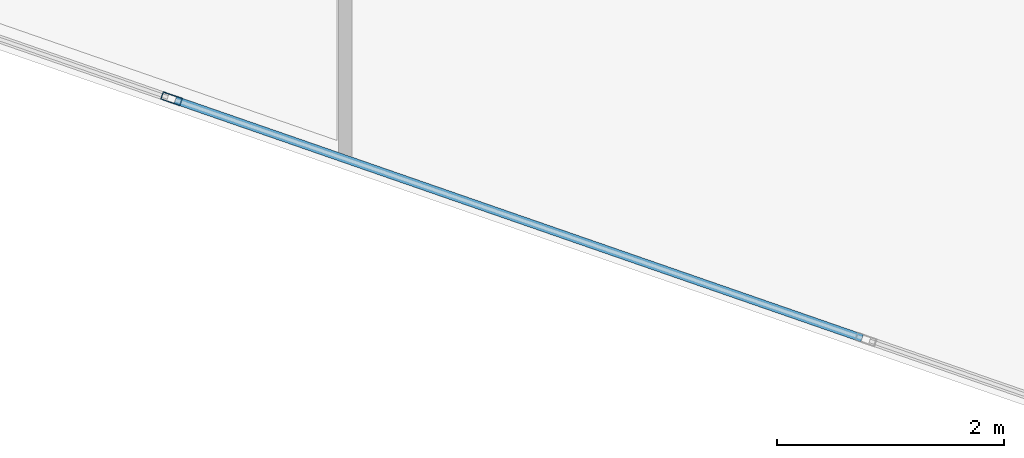
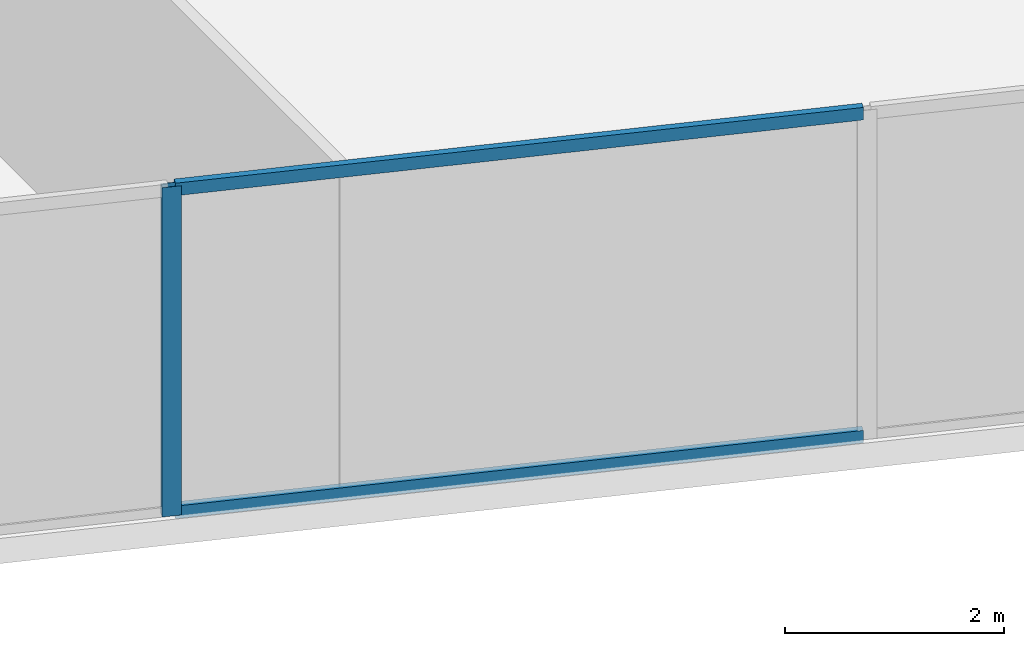
# One storey, part 4 of 28: 3 members, 1 element without a shape of its own.
"""IFC4 building model written with IfcOpenShell, lengths in metres."""

import ifcopenshell
import ifcopenshell.guid

model = None  # the IFC model being written
_history = None  # IfcOwnerHistory: only IFC2X3 demands one
_inside = {}  # id of a spatial element -> (the spatial element, [elements in it])
_under = {}  # id of a project, library or spatial element -> (it, [spatial elements below it])
_declared = {}  # id of a project -> (the project, [libraries it declares])
_typed = {}  # id of a type object -> (the type object, [elements of that type])
_made_of = {}  # id of a material, layer set ... -> (it, [elements and type objects made of it])


def new_model(schema):
    """Start an empty IFC model of exactly this schema.

    Asked for "IFC4X3", IfcOpenShell would pick the latest addendum, in which some entities
    have other attributes; the version numbers below select the first issue.
    IFC2X3 requires an IfcOwnerHistory on every rooted entity: one is made here for all.
    """
    global model, _history
    if schema == "IFC4X3":
        model = ifcopenshell.file(schema_version=(4, 3, 0, 0))
    else:
        model = ifcopenshell.file(schema=schema)
    _inside.clear()
    _under.clear()
    _declared.clear()
    _typed.clear()
    _made_of.clear()
    _history = None
    if model.schema == "IFC2X3":
        org = make("IfcOrganization", Name="unknown")
        user = make(
            "IfcPersonAndOrganization",
            ThePerson=make("IfcPerson", FamilyName="unknown"),
            TheOrganization=org,
        )
        app = make(
            "IfcApplication",
            ApplicationDeveloper=org,
            Version="unknown",
            ApplicationFullName="unknown",
            ApplicationIdentifier="unknown",
        )
        _history = make(
            "IfcOwnerHistory",
            OwningUser=user,
            OwningApplication=app,
            ChangeAction="ADDED",
            CreationDate=0,
        )
    return model


def make(cls, **values):
    """One entity of the class cls with the attributes given. An attribute that is None is left unset."""
    return model.create_entity(
        cls, **{name: value for name, value in values.items() if value is not None}
    )


def rooted(cls, **values):
    """An entity with a GlobalId (a new one), such as an element, a storey or a relation."""
    return make(cls, GlobalId=ifcopenshell.guid.new(), OwnerHistory=_history, **values)


def si_unit(unit_type, name, prefix=None):
    """IfcSIUnit, for example si_unit("LENGTHUNIT", "METRE", prefix="MILLI")."""
    return make("IfcSIUnit", UnitType=unit_type, Prefix=prefix, Name=name)


def assignment(units):
    """IfcUnitAssignment: the units of a project."""
    return None if units is None else make("IfcUnitAssignment", Units=units)


def point(xyz):
    """IfcCartesianPoint."""
    return None if xyz is None else make("IfcCartesianPoint", Coordinates=xyz)


def direction(xyz):
    """IfcDirection."""
    return None if xyz is None else make("IfcDirection", DirectionRatios=xyz)


def frame(location, z_axis=None, x_axis=None):
    """IfcAxis2Placement3D, a coordinate frame: its origin and axes. An axis left out is left unset."""
    return make(
        "IfcAxis2Placement3D",
        Location=point(location),
        Axis=direction(z_axis),
        RefDirection=direction(x_axis),
    )


def frame_2d(location, x_axis=None):
    """IfcAxis2Placement2D, a coordinate frame in the plane: its origin and x axis."""
    return make(
        "IfcAxis2Placement2D", Location=point(location), RefDirection=direction(x_axis)
    )


def origin():
    """The frame at (0, 0, 0) with its axes left unset."""
    return frame((0.0, 0.0, 0.0))


def origin_2d():
    """The frame at (0, 0) in the plane with its x axis left unset."""
    return frame_2d((0.0, 0.0))


def place(relative_to, where):
    """IfcLocalPlacement: puts the frame where relative to a parent placement (None: the world)."""
    return make(
        "IfcLocalPlacement", PlacementRelTo=relative_to, RelativePlacement=where
    )


def context(
    kind, dimensions, precision=None, world=None, true_north=None, identifier=None
):
    """IfcGeometricRepresentationContext, for example the 3D "Model" context."""
    return make(
        "IfcGeometricRepresentationContext",
        ContextIdentifier=identifier,
        ContextType=kind,
        CoordinateSpaceDimension=dimensions,
        Precision=precision,
        WorldCoordinateSystem=world,
        TrueNorth=true_north,
    )


def subcontext(parent, identifier, kind, view, scale=None):
    """IfcGeometricRepresentationSubContext, for example "Body" below "Model"."""
    return make(
        "IfcGeometricRepresentationSubContext",
        ContextIdentifier=identifier,
        ContextType=kind,
        ParentContext=parent,
        TargetScale=scale,
        TargetView=view,
    )


def project(units=None, contexts=None):
    """IfcProject with its units and contexts."""
    return rooted(
        "IfcProject",
        Name="project",
        RepresentationContexts=contexts,
        UnitsInContext=assignment(units),
    )


def spatial(cls, under=None, at=None, **own):
    """A site, building, storey or space (cls), placed at a placement, below another one or the project."""
    s = rooted(cls, ObjectPlacement=at, **own)
    if under is not None:
        _under.setdefault(under.id(), (under, []))[1].append(s)
    return s


def profile(cls, at=None, kind="AREA", **sizes):
    """A parametric profile (cls). Its sizes go by their IFC names, for example OverallWidth=200.0."""
    return make(cls, ProfileType=kind, Position=at, **sizes)


def hollow_rectangle(**sizes):
    """IfcRectangleHollowProfileDef."""
    return profile("IfcRectangleHollowProfileDef", **sizes)


def extrude(swept, where, along, depth):
    """IfcExtrudedAreaSolid: the profile swept, set in the frame where, extruded along a direction by depth."""
    return make(
        "IfcExtrudedAreaSolid",
        SweptArea=swept,
        Position=where,
        ExtrudedDirection=direction(along),
        Depth=depth,
    )


def shape(context_of_items, identifier, shape_type, items):
    """IfcShapeRepresentation: the items that make up one representation, for example the "Body"."""
    return make(
        "IfcShapeRepresentation",
        ContextOfItems=context_of_items,
        RepresentationIdentifier=identifier,
        RepresentationType=shape_type,
        Items=items,
    )


def source(mapping_origin, context_of_items, identifier, shape_type, items):
    """IfcRepresentationMap: a shape defined once, which mapped items show again and again."""
    return make(
        "IfcRepresentationMap",
        MappingOrigin=mapping_origin,
        MappedRepresentation=shape(context_of_items, identifier, shape_type, items),
    )


def transform(
    local_origin,
    x_axis=None,
    y_axis=None,
    z_axis=None,
    scale=None,
    scale2=None,
    scale3=None,
    uniform=True,
):
    """IfcCartesianTransformationOperator3D, or its non-uniform kind. x_axis, y_axis, z_axis: its Axis1, 2, 3."""
    if uniform:
        return make(
            "IfcCartesianTransformationOperator3D",
            Axis1=direction(x_axis),
            Axis2=direction(y_axis),
            LocalOrigin=point(local_origin),
            Scale=scale,
            Axis3=direction(z_axis),
        )
    return make(
        "IfcCartesianTransformationOperator3DnonUniform",
        Axis1=direction(x_axis),
        Axis2=direction(y_axis),
        LocalOrigin=point(local_origin),
        Scale=scale,
        Axis3=direction(z_axis),
        Scale2=scale2,
        Scale3=scale3,
    )


def mapped(mapping_source, mapping_target):
    """IfcMappedItem: shows the shape of a source again, moved by a transform."""
    return make(
        "IfcMappedItem", MappingSource=mapping_source, MappingTarget=mapping_target
    )


def material(Name=None, Category=None):
    """IfcMaterial."""
    return make("IfcMaterial", Name=Name, Category=Category)


def material_profile(
    of_material, cross_section, Name=None, Category=None, Priority=None
):
    """IfcMaterialProfile: a cross section and its material."""
    return make(
        "IfcMaterialProfile",
        Name=Name,
        Material=of_material,
        Profile=cross_section,
        Priority=Priority,
        Category=Category,
    )


def profile_set(profiles, Name=None, composite=None):
    """IfcMaterialProfileSet."""
    return make(
        "IfcMaterialProfileSet",
        Name=Name,
        MaterialProfiles=profiles,
        CompositeProfile=composite,
    )


def made_of(thing, what):
    """Note that an element or type object is made of a material, layer set ...; save() writes the relation."""
    if what is not None:
        _made_of.setdefault(what.id(), (what, []))[1].append(thing)
    return thing


def type_object(cls, material=None, **own):
    """A type object (cls), such as IfcWallType, which elements share."""
    return made_of(rooted(cls, **own), material)


def type_shapes(of_type, sources):
    """Give a type object the sources (RepresentationMaps) that its elements show as mapped items."""
    of_type.RepresentationMaps = sources


def element(
    cls,
    number,
    at=None,
    inside=None,
    cuts=None,
    type_object=None,
    material=None,
    context=None,
    identifier="Body",
    shape_type=None,
    held_by="IfcProductDefinitionShape",
    body=None,
    shapes=None,
    **own,
):
    """One element of the class cls, such as IfcWall. Its Tag is "e" and its number.

    at: its placement. inside: the storey or other place that contains it. cuts: it is an
    opening in that element (IfcRelVoidsElement). A single representation is given by context,
    identifier, shape_type and body (its items); several are given by shapes. held_by: the class
    of the entity that holds the representations. save() writes the other relations.
    """
    e = rooted(cls, Tag="e%d" % number, ObjectPlacement=at, **own)
    if body is not None:
        shapes = [shape(context, identifier, shape_type, body)]
    if shapes is not None:
        e.Representation = make(held_by, Representations=shapes)
    if inside is not None:
        _inside.setdefault(inside.id(), (inside, []))[1].append(e)
    if cuts is not None:
        rooted(
            "IfcRelVoidsElement", RelatingBuildingElement=cuts, RelatedOpeningElement=e
        )
    if type_object is not None:
        _typed.setdefault(type_object.id(), (type_object, []))[1].append(e)
    return made_of(e, material)


def aggregate(whole, parts):
    """IfcRelAggregates: a whole, such as a stair, and the parts it consists of."""
    return rooted("IfcRelAggregates", RelatingObject=whole, RelatedObjects=parts)


def save(model, path):
    """Write the relations noted so far, then the file.

    IfcRelAggregates (storeys below a building ...), IfcRelContainedInSpatialStructure (elements
    in a storey), IfcRelDefinesByType, IfcRelAssociatesMaterial and IfcRelDeclares: one each for
    every whole, place, type object, material and project.
    """
    for whole, parts in _under.values():
        aggregate(whole, parts)
    for where, things in _inside.values():
        rooted(
            "IfcRelContainedInSpatialStructure",
            RelatedElements=things,
            RelatingStructure=where,
        )
    for kind, things in _typed.values():
        rooted("IfcRelDefinesByType", RelatedObjects=things, RelatingType=kind)
    for what, things in _made_of.values():
        rooted("IfcRelAssociatesMaterial", RelatedObjects=things, RelatingMaterial=what)
    for by, libraries in _declared.values():
        rooted("IfcRelDeclares", RelatingContext=by, RelatedDefinitions=libraries)
    model.write(path)


model = new_model("IFC4")

# Units and contexts
model_context = context("Model", 3, precision=1e-05, world=origin(), true_north=direction((0.0, 1.0)))
body_context = subcontext(model_context, "Body", "Model", "MODEL_VIEW")
ifc_project = project(units=[si_unit("LENGTHUNIT", "METRE"), si_unit("AREAUNIT", "SQUARE_METRE"), si_unit("VOLUMEUNIT", "CUBIC_METRE"), si_unit("PLANEANGLEUNIT", "RADIAN"), si_unit("MASSUNIT", "GRAM", prefix="KILO")], contexts=[model_context])

# Site, building, storey
site_placement = place(None, origin())
site = spatial("IfcSite", under=ifc_project, at=site_placement, CompositionType="ELEMENT")
building_placement = place(site_placement, origin())
building = spatial("IfcBuilding", under=site, at=building_placement, Name="Krantzveldt Concourse Tower", CompositionType="ELEMENT")
storey_placement = place(building_placement, frame((0.0, 0.0, 117.699951171875)))
storey = spatial("IfcBuildingStorey", under=building, at=storey_placement, Name="L28", CompositionType="ELEMENT", Elevation=117.699951171875)

# Curtain wall, members
ifc_material = material(Name="Anodised aluminium 6063-T6", Category="aluminium")
curtain_wall_type = type_object("IfcCurtainWallType", Name="CW2", PredefinedType="USERDEFINED", material=ifc_material)
curtain_wall_placement = place(storey_placement, origin())
curtain_wall = element("IfcCurtainWall", 1, at=curtain_wall_placement, inside=storey, type_object=curtain_wall_type, Name="CW-L28-F04", ObjectType="UNITISED CURTAIN WALL", PredefinedType="USERDEFINED")
ifc_material_profile_1 = material_profile(ifc_material, hollow_rectangle(XDim=0.070068359375, YDim=0.179931640625, WallThickness=0.0048828125, at=origin_2d()), Name="Anodised aluminium 6063-T6", Category="aluminium")
ifc_profile_set_1 = profile_set([ifc_material_profile_1], Name="Anodised aluminium 6063-T6 - ALU-MULL 180x70x5")
member_type_1 = type_object("IfcMemberType", Name="CW-MUL-180", PredefinedType="MULLION", material=ifc_profile_set_1)
shared_shape_1 = source(origin(), body_context, "Body", "SweptSolid", [
    extrude(hollow_rectangle(XDim=0.070068359375, YDim=0.179931640625, WallThickness=0.0048828125, at=origin_2d()), origin(), (0.0, 0.0, 1.0), 3.670166015625),
])
type_shapes(member_type_1, [shared_shape_1])
member_1_placement = place(storey_placement, frame((34.47265625, 2.557861328125, 0.0), z_axis=(0.0, 0.0, 1.0), x_axis=(0.32763019404, 0.944806041446, 0.0)))
member_1 = element("IfcMember", 2, at=member_1_placement, type_object=member_type_1, Name="CW-Z12 mullion 5", PredefinedType="MULLION", context=body_context, shape_type="MappedRepresentation", body=[
    mapped(shared_shape_1, transform((0.0, 0.0, 0.0), x_axis=(1.0, 0.0, 0.0), y_axis=(0.0, 1.0, 0.0), z_axis=(0.0, 0.0, 1.0), scale=1.0)),
])
ifc_material_profile_2 = material_profile(ifc_material, hollow_rectangle(XDim=0.070068359375, YDim=0.139892578125, WallThickness=0.0048828125, at=origin_2d()), Name="Anodised aluminium 6063-T6", Category="aluminium")
ifc_profile_set_2 = profile_set([ifc_material_profile_2], Name="Anodised aluminium 6063-T6 - ALU-TRAN 140x70x5")
member_type_2 = type_object("IfcMemberType", Name="CW-TRN-150", PredefinedType="USERDEFINED", material=ifc_profile_set_2)
shared_shape_2 = source(origin(), body_context, "Body", "SweptSolid", [
    extrude(hollow_rectangle(XDim=0.070068359375, YDim=0.139892578125, WallThickness=0.0048828125, at=origin_2d()), origin(), (0.0, 0.0, 1.0), 6.396484375),
])
type_shapes(member_type_2, [shared_shape_2])
member_2_placement = place(storey_placement, frame((34.505859375, 2.54638671875, 0.03515625), z_axis=(0.944805325706, -0.327632258054, 0.0), x_axis=(0.327632258054, 0.944805325706, 0.0)))
member_2 = element("IfcMember", 3, at=member_2_placement, type_object=member_type_2, Name="CW-Z12 transom 5.1", ObjectType="TRANSOM", PredefinedType="USERDEFINED", context=body_context, shape_type="MappedRepresentation", body=[
    mapped(shared_shape_2, transform((0.0, 0.0, 0.0), x_axis=(1.0, 0.0, 0.0), y_axis=(0.0, 1.0, 0.0), z_axis=(0.0, 0.0, 1.0), scale=1.0)),
])
member_3_placement = place(storey_placement, frame((34.505859375, 2.54638671875, 3.635009765625), z_axis=(0.944805325706, -0.327632258054, 0.0), x_axis=(0.327632258054, 0.944805325706, 0.0)))
member_3 = element("IfcMember", 4, at=member_3_placement, type_object=member_type_2, Name="CW-Z12 transom 5.2", ObjectType="TRANSOM", PredefinedType="USERDEFINED", context=body_context, shape_type="MappedRepresentation", body=[
    mapped(shared_shape_2, transform((0.0, 0.0, 0.0), x_axis=(1.0, 0.0, 0.0), y_axis=(0.0, 1.0, 0.0), z_axis=(0.0, 0.0, 1.0), scale=1.0)),
])
aggregate(curtain_wall, [member_1, member_2, member_3])

save(model, "model.ifc")
